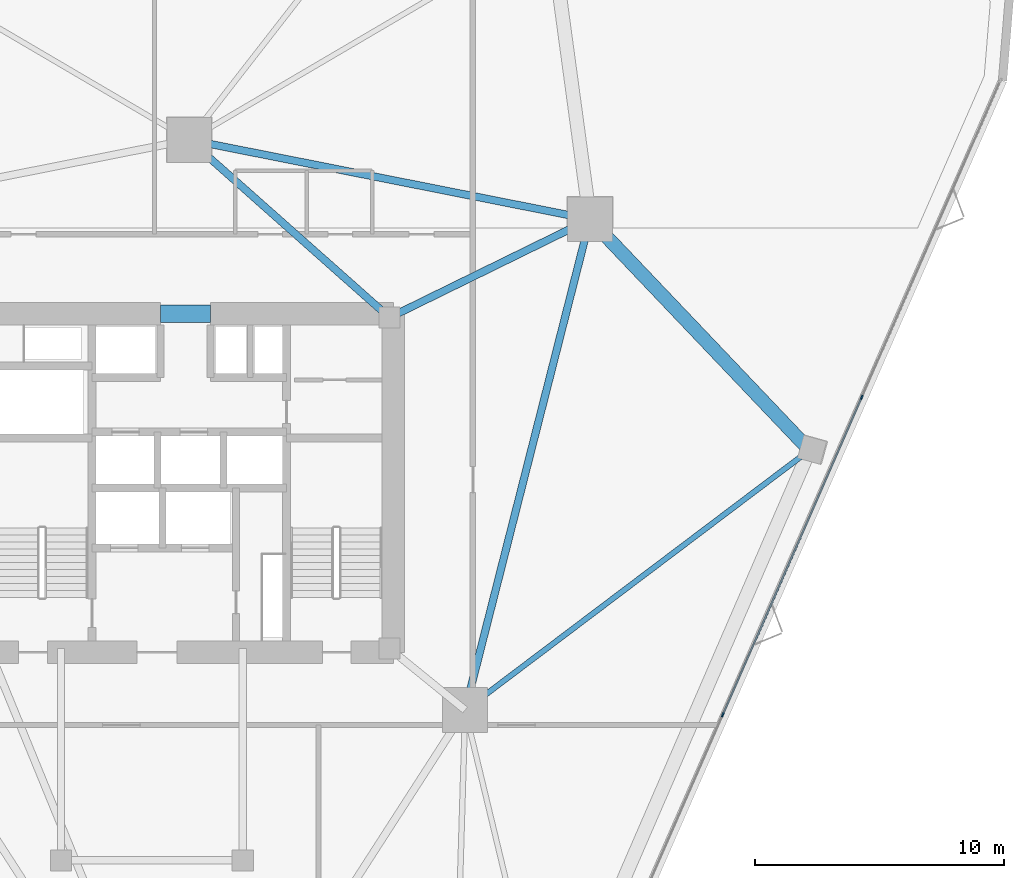
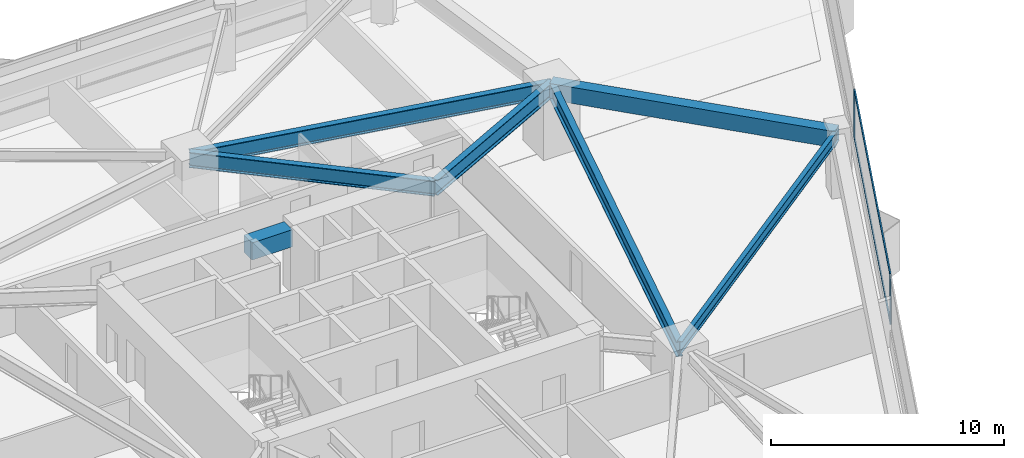
# One storey, part 10 of 21: 7 beams, 4 members, 1 element without a shape of its own.
"""IFC4 building model written with IfcOpenShell, lengths in metres."""

from ifc_helpers import new_model, si_unit, direction, frame, origin, origin_2d, place, context, subcontext, project, spatial, rectangle, i_section, extrude, material, layer, layer_set, material_profile, profile_set, type_object, element, aggregate, save


model = new_model("IFC4")

# Units and contexts
model_context = context("Model", 3, precision=1e-05, world=origin(), true_north=direction((0.0, 1.0)))
body_context = subcontext(model_context, "Body", "Model", "MODEL_VIEW")
ifc_project = project(units=[si_unit("LENGTHUNIT", "METRE"), si_unit("AREAUNIT", "SQUARE_METRE"), si_unit("VOLUMEUNIT", "CUBIC_METRE"), si_unit("PLANEANGLEUNIT", "RADIAN"), si_unit("MASSUNIT", "GRAM", prefix="KILO")], contexts=[model_context])

# Site, building, storey
site_placement = place(None, origin())
site = spatial("IfcSite", under=ifc_project, at=site_placement, CompositionType="ELEMENT")
building_placement = place(site_placement, origin())
building = spatial("IfcBuilding", under=site, at=building_placement, Name="Talyreon Biosciences Tower", CompositionType="ELEMENT")
storey_placement = place(building_placement, frame((0.0, 0.0, 55.64990234375)))
storey = spatial("IfcBuildingStorey", under=building, at=storey_placement, Name="L14", CompositionType="ELEMENT", Elevation=55.64990234375)

# Curtain wall, members
ifc_material_1 = material(Name="Thermally broken aluminium and low-E glazing", Category="aluminium")
ifc_layer = layer(ifc_material_1, 0.195068359375)
ifc_layer_set = layer_set([ifc_layer], Name="Thermally broken aluminium and low-E glazing")
curtain_wall_type = type_object("IfcCurtainWallType", Name="CurtainWall_Zone1WetLab", PredefinedType="NOTDEFINED", material=ifc_layer_set)
curtain_wall_placement = place(storey_placement, origin())
curtain_wall = element("IfcCurtainWall", 1, at=curtain_wall_placement, inside=storey, type_object=curtain_wall_type, Name="L14 Unitised Curtain Wall FCW-L14-08", PredefinedType="NOTDEFINED")
ifc_material_2 = material(Name="Anodised thermally broken aluminium", Category="aluminium")
ifc_material_profile_1 = material_profile(ifc_material_2, rectangle(XDim=0.06494140625, YDim=0.179931640625, at=origin_2d()), Name="ALUM MULLION 65x180")
ifc_profile_set_1 = profile_set([ifc_material_profile_1], Name="Anodised thermally broken aluminium")
member_type_1 = type_object("IfcMemberType", Name="CWMullion_65x180", PredefinedType="MULLION", material=ifc_profile_set_1)
member_1_placement = place(storey_placement, frame((93.022705078125, 71.4453125, 0.81005859375), z_axis=(0.0, 0.0, 1.0), x_axis=(0.916092182361, -0.400967721165, 0.0)))
member_1 = element("IfcMember", 2, at=member_1_placement, type_object=member_type_1, Name="CW2 mullion 2", PredefinedType="MULLION", context=body_context, shape_type="SweptSolid", body=[
    extrude(rectangle(XDim=0.06494140625, YDim=0.179931640625, at=origin_2d()), origin(), (0.0, 0.0, 1.0), 2.56494140625),
])
member_2_placement = place(storey_placement, frame((87.439697265625, 58.689453125, 0.81005859375), z_axis=(0.0, 0.0, 1.0), x_axis=(0.916092182361, -0.400967721165, 0.0)))
member_2 = element("IfcMember", 3, at=member_2_placement, type_object=member_type_1, Name="CW2 mullion 3", PredefinedType="MULLION", context=body_context, shape_type="SweptSolid", body=[
    extrude(rectangle(XDim=0.06494140625, YDim=0.179931640625, at=origin_2d()), origin(), (0.0, 0.0, 1.0), 2.56494140625),
])
ifc_material_profile_2 = material_profile(ifc_material_2, rectangle(XDim=0.06494140625, YDim=0.139892578125, at=origin_2d()), Name="ALUM TRANSOM 65x140")
ifc_profile_set_2 = profile_set([ifc_material_profile_2], Name="Anodised thermally broken aluminium")
member_type_2 = type_object("IfcMemberType", Name="CWTransom_65x140", PredefinedType="USERDEFINED", material=ifc_profile_set_2)
member_3_placement = place(storey_placement, frame((93.009765625, 71.41552734375, 0.842529296875), z_axis=(-0.400970381999, -0.916091017727, 0.0), x_axis=(0.916091017727, -0.400970381999, 0.0)))
member_3 = element("IfcMember", 4, at=member_3_placement, type_object=member_type_2, Name="CW2 transom 2.1", ObjectType="TRANSOM", PredefinedType="USERDEFINED", context=body_context, shape_type="SweptSolid", body=[
    extrude(rectangle(XDim=0.06494140625, YDim=0.139892578125, at=origin_2d()), origin(), (0.0, 0.0, 1.0), 13.859130859375),
])
member_4_placement = place(storey_placement, frame((93.009765625, 71.41552734375, 3.342529296875), z_axis=(-0.400970381999, -0.916091017727, 0.0), x_axis=(0.916091017727, -0.400970381999, 0.0)))
member_4 = element("IfcMember", 5, at=member_4_placement, type_object=member_type_2, Name="CW2 transom 2.2", ObjectType="TRANSOM", PredefinedType="USERDEFINED", context=body_context, shape_type="SweptSolid", body=[
    extrude(rectangle(XDim=0.06494140625, YDim=0.139892578125, at=origin_2d()), origin(), (0.0, 0.0, 1.0), 13.859130859375),
])
aggregate(curtain_wall, [member_1, member_2, member_3, member_4])

# Beams
ifc_material_3 = material(Name="Concrete C60/75", Category="concrete")
ifc_material_profile_3 = material_profile(ifc_material_3, rectangle(XDim=0.699951171875, YDim=0.89990234375, at=origin_2d()), Name="RCB 700x900")
ifc_profile_set_3 = profile_set([ifc_material_profile_3], Name="Concrete C60/75")
beam_type_1 = type_object("IfcBeamType", Name="CoreCouplingLintel_700x900", PredefinedType="LINTEL", material=ifc_profile_set_3)
beam_1_placement = place(storey_placement, frame((64.85009765625, 74.800048828125, 2.925048828125), z_axis=(1.0, 0.0, 0.0), x_axis=(0.0, 1.0, 0.0)))
element("IfcBeam", 6, at=beam_1_placement, inside=storey, type_object=beam_type_1, Name="L14 Core Coupling Lintel", PredefinedType="LINTEL", context=body_context, shape_type="SweptSolid", body=[
    extrude(rectangle(XDim=0.699951171875, YDim=0.89990234375, at=origin_2d()), origin(), (0.0, 0.0, 1.0), 2.0),
])
ifc_material_4 = material(Name="Precast concrete C45/55", Category="concrete")
ifc_material_profile_4 = material_profile(ifc_material_4, rectangle(XDim=0.550048828125, YDim=0.85009765625, at=origin_2d()), Name="RCB 550x850")
ifc_profile_set_4 = profile_set([ifc_material_profile_4], Name="Precast concrete C45/55")
beam_type_2 = type_object("IfcBeamType", Name="ExpressedSpandrel_550x850", PredefinedType="SPANDREL", material=ifc_profile_set_4)
beam_2_placement = place(storey_placement, frame((90.92578125, 69.3232421875, 2.9501953125), z_axis=(-0.689236475472, 0.724536459316, 0.0), x_axis=(-0.724536459316, -0.689236475472, 0.0)))
element("IfcBeam", 7, at=beam_2_placement, inside=storey, type_object=beam_type_2, Name="L14 Expressed Horizontal Concrete Spandrel 04", PredefinedType="SPANDREL", context=body_context, shape_type="SweptSolid", body=[
    extrude(rectangle(XDim=0.550048828125, YDim=0.85009765625, at=origin_2d()), origin(), (0.0, 0.0, 1.0), 12.8017578125),
])
ifc_material_5 = material(Name="Steel SM355", Category="steel")
ifc_material_profile_5 = material_profile(ifc_material_5, i_section(OverallWidth=0.300048828125, OverallDepth=0.800048828125, WebThickness=0.017578125, FlangeThickness=0.032958984375, FilletRadius=0.030029296875, at=origin_2d()), Name="HE800B")
ifc_profile_set_5 = profile_set([ifc_material_profile_5], Name="Steel SM355")
beam_type_3 = type_object("IfcBeamType", Name="SteelGirder_HE800B", PredefinedType="BEAM", material=ifc_profile_set_5)
beam_3_placement = place(storey_placement, frame((77.086181640625, 58.88037109375, 2.97509765625), z_axis=(0.246537082299, 0.969133358755, 0.0), x_axis=(-0.969133358755, 0.246537082299, 0.0)))
element("IfcBeam", 8, at=beam_3_placement, inside=storey, type_object=beam_type_3, Name="L14 Mega-Ring Girder 2", PredefinedType="BEAM", context=body_context, shape_type="SweptSolid", body=[
    extrude(i_section(OverallWidth=0.300048828125, OverallDepth=0.800048828125, WebThickness=0.017578125, FlangeThickness=0.032958984375, FilletRadius=0.030029296875, at=origin_2d()), origin(), (0.0, 0.0, 1.0), 20.34619140625),
])
beam_4_placement = place(storey_placement, frame((82.102294921875, 78.5986328125, 2.97509765625), z_axis=(-0.980933730698, 0.194342522311, 0.0), x_axis=(-0.194342522311, -0.980933730698, 0.0)))
element("IfcBeam", 9, at=beam_4_placement, inside=storey, type_object=beam_type_3, Name="L14 Mega-Ring Girder 3", PredefinedType="BEAM", context=body_context, shape_type="SweptSolid", body=[
    extrude(i_section(OverallWidth=0.300048828125, OverallDepth=0.800048828125, WebThickness=0.017578125, FlangeThickness=0.032958984375, FilletRadius=0.030029296875, at=origin_2d()), origin(), (0.0, 0.0, 1.0), 16.415283203125),
])
beam_5_placement = place(storey_placement, frame((74.050048828125, 74.64990234375, 2.97509765625), z_axis=(0.897852360314, 0.440296648952, 0.0), x_axis=(-0.440296648952, 0.897852360314, 0.0)))
element("IfcBeam", 10, at=beam_5_placement, inside=storey, type_object=beam_type_3, Name="L14 Radial Primary Girder 3", PredefinedType="BEAM", context=body_context, shape_type="SweptSolid", body=[
    extrude(i_section(OverallWidth=0.300048828125, OverallDepth=0.800048828125, WebThickness=0.017578125, FlangeThickness=0.032958984375, FilletRadius=0.030029296875, at=origin_2d()), origin(), (0.0, 0.0, 1.0), 8.96826171875),
])
beam_6_placement = place(storey_placement, frame((74.050048828125, 74.64990234375, 2.97509765625), z_axis=(-0.748178733955, 0.663497235908, 0.0), x_axis=(-0.663497235908, -0.748178733955, 0.0)))
element("IfcBeam", 11, at=beam_6_placement, inside=storey, type_object=beam_type_3, Name="L14 Radial Primary Girder 4", PredefinedType="BEAM", context=body_context, shape_type="SweptSolid", body=[
    extrude(i_section(OverallWidth=0.300048828125, OverallDepth=0.800048828125, WebThickness=0.017578125, FlangeThickness=0.032958984375, FilletRadius=0.030029296875, at=origin_2d()), origin(), (0.0, 0.0, 1.0), 10.759521484375),
])
ifc_material_profile_6 = material_profile(ifc_material_5, i_section(OverallWidth=0.219970703125, OverallDepth=0.60009765625, WebThickness=0.011962890625, FlangeThickness=0.01904296875, FilletRadius=0.02392578125, at=origin_2d()), Name="IPE600")
ifc_profile_set_6 = profile_set([ifc_material_profile_6], Name="Steel SM355")
beam_type_4 = type_object("IfcBeamType", Name="SteelJoist_IPE600", PredefinedType="JOIST", material=ifc_profile_set_6)
beam_7_placement = place(storey_placement, frame((77.086181640625, 58.88037109375, 3.0751953125), z_axis=(0.798247657842, 0.602329375633, 0.0), x_axis=(-0.602329375633, 0.798247657842, 0.0)))
element("IfcBeam", 12, at=beam_7_placement, inside=storey, type_object=beam_type_4, Name="L14 Radial Composite Floor Joist PC-SE2", PredefinedType="JOIST", context=body_context, shape_type="SweptSolid", body=[
    extrude(i_section(OverallWidth=0.219970703125, OverallDepth=0.60009765625, WebThickness=0.011962890625, FlangeThickness=0.01904296875, FilletRadius=0.02392578125, at=origin_2d()), origin(), (0.0, 0.0, 1.0), 17.33740234375),
])

save(model, "model.ifc")
